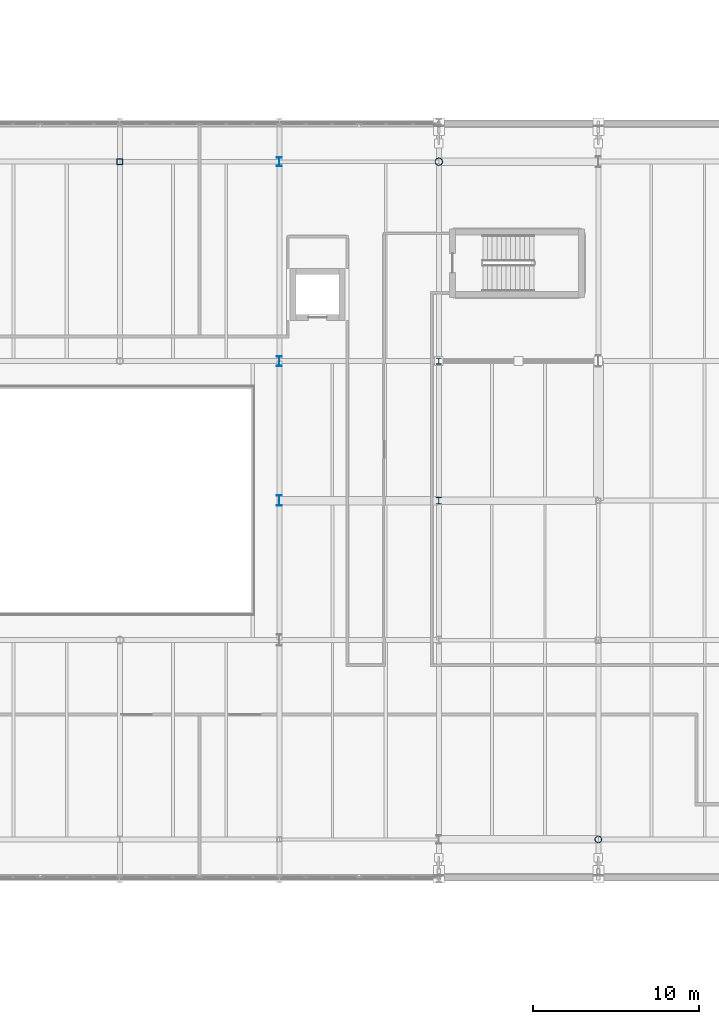
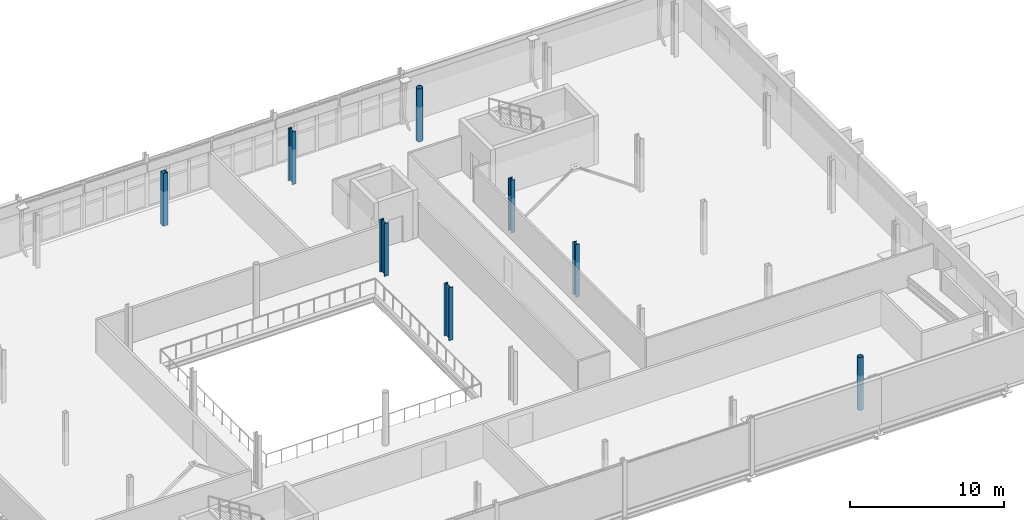
# One storey, part 8 of 90: 8 columns.
"""IFC4 building model written with IfcOpenShell, lengths in metres."""

from ifc_helpers import new_model, si_unit, direction, frame, origin, origin_2d, place, context, subcontext, project, spatial, hollow_rectangle, hollow_circle, i_section, extrude, material, material_profile, profile_set, type_object, element, save


model = new_model("IFC4")

# Units and contexts
model_context = context("Model", 3, precision=1e-05, world=origin(), true_north=direction((0.0, 1.0)))
body_context = subcontext(model_context, "Body", "Model", "MODEL_VIEW")
ifc_project = project(units=[si_unit("LENGTHUNIT", "METRE"), si_unit("AREAUNIT", "SQUARE_METRE"), si_unit("VOLUMEUNIT", "CUBIC_METRE"), si_unit("PLANEANGLEUNIT", "RADIAN"), si_unit("MASSUNIT", "GRAM", prefix="KILO")], contexts=[model_context])

# Site, building, storey
site_placement = place(None, origin())
site = spatial("IfcSite", under=ifc_project, at=site_placement, CompositionType="ELEMENT")
building_placement = place(site_placement, origin())
building = spatial("IfcBuilding", under=site, at=building_placement, Name="Zereglee Splitstone Museum", CompositionType="ELEMENT")
storey_placement = place(building_placement, frame((0.0, 0.0, 4.800048828125)))
storey = spatial("IfcBuildingStorey", under=building, at=storey_placement, Name="L01", CompositionType="ELEMENT", Elevation=4.800048828125)

# Columns
ifc_material_1 = material(Name="Steel S355J2H", Category="steel")
ifc_material_profile_1 = material_profile(ifc_material_1, hollow_circle(Radius=0.203125, WallThickness=0.02001953125, at=origin_2d()), Name="CHS 406.4x20")
ifc_profile_set_1 = profile_set([ifc_material_profile_1], Name="Steel S355J2H")
column_type_1 = type_object("IfcColumnType", Name="C-18", PredefinedType="COLUMN", material=ifc_profile_set_1)
column_1_placement = place(storey_placement, frame((135.60009765625, 9.60009765625, 0.0), z_axis=(0.0, 0.0, 1.0), x_axis=(1.0, 0.0, 0.0)))
element("IfcColumn", 1, at=column_1_placement, inside=storey, type_object=column_type_1, Name="Column 16/B L01", PredefinedType="COLUMN", context=body_context, shape_type="SweptSolid", body=[
    extrude(hollow_circle(Radius=0.203125, WallThickness=0.02001953125, at=origin_2d()), origin(), (0.0, 0.0, 1.0), 4.199951171875),
])
ifc_material_profile_2 = material_profile(ifc_material_1, hollow_circle(Radius=0.228515625, WallThickness=0.02001953125, at=origin_2d()), Name="CHS 457.0x20")
ifc_profile_set_2 = profile_set([ifc_material_profile_2], Name="Steel S355J2H")
column_type_2 = type_object("IfcColumnType", Name="C-17", PredefinedType="COLUMN", material=ifc_profile_set_2)
column_2_placement = place(storey_placement, frame((126.0, 50.39990234375, 0.0), z_axis=(0.0, 0.0, 1.0), x_axis=(1.0, 0.0, 0.0)))
element("IfcColumn", 2, at=column_2_placement, inside=storey, type_object=column_type_2, Name="Column 15/F L01", PredefinedType="COLUMN", context=body_context, shape_type="SweptSolid", body=[
    extrude(hollow_circle(Radius=0.228515625, WallThickness=0.02001953125, at=origin_2d()), origin(), (0.0, 0.0, 1.0), 4.199951171875),
])
ifc_material_2 = material(Name="Steel S355J2", Category="steel")
ifc_material_profile_3 = material_profile(ifc_material_2, i_section(OverallWidth=0.300048828125, OverallDepth=0.360107421875, WebThickness=0.012451171875, FlangeThickness=0.0224609375, FilletRadius=0.027099609375, at=origin_2d()), Name="HE 360 B")
ifc_profile_set_3 = profile_set([ifc_material_profile_3], Name="Steel S355J2")
column_type_3 = type_object("IfcColumnType", Name="C-16", PredefinedType="COLUMN", material=ifc_profile_set_3)
column_3_placement = place(storey_placement, frame((126.0, 38.39990234375, 0.0), z_axis=(0.0, 0.0, 1.0), x_axis=(1.0, 0.0, 0.0)))
element("IfcColumn", 3, at=column_3_placement, inside=storey, type_object=column_type_3, Name="Column 15/E L01", PredefinedType="COLUMN", context=body_context, shape_type="SweptSolid", body=[
    extrude(i_section(OverallWidth=0.300048828125, OverallDepth=0.360107421875, WebThickness=0.012451171875, FlangeThickness=0.0224609375, FilletRadius=0.027099609375, at=origin_2d()), origin(), (0.0, 0.0, 1.0), 4.199951171875),
])
ifc_material_profile_4 = material_profile(ifc_material_2, i_section(OverallWidth=0.300048828125, OverallDepth=0.39990234375, WebThickness=0.013427734375, FlangeThickness=0.02392578125, FilletRadius=0.027099609375, at=origin_2d()), Name="HE 400 B")
ifc_profile_set_4 = profile_set([ifc_material_profile_4], Name="Steel S355J2")
column_type_4 = type_object("IfcColumnType", Name="C-15", PredefinedType="COLUMN", material=ifc_profile_set_4)
column_4_placement = place(storey_placement, frame((126.0, 30.0, 0.0), z_axis=(0.0, 0.0, 1.0), x_axis=(1.0, 0.0, 0.0)))
element("IfcColumn", 4, at=column_4_placement, inside=storey, type_object=column_type_4, Name="Column 15/D L01", PredefinedType="COLUMN", context=body_context, shape_type="SweptSolid", body=[
    extrude(i_section(OverallWidth=0.300048828125, OverallDepth=0.39990234375, WebThickness=0.013427734375, FlangeThickness=0.02392578125, FilletRadius=0.027099609375, at=origin_2d()), origin(), (0.0, 0.0, 1.0), 4.199951171875),
])
ifc_material_profile_5 = material_profile(ifc_material_2, i_section(OverallWidth=0.300048828125, OverallDepth=0.550048828125, WebThickness=0.014892578125, FlangeThickness=0.029052734375, FilletRadius=0.027099609375, at=origin_2d()), Name="HE 550 B")
ifc_profile_set_5 = profile_set([ifc_material_profile_5], Name="Steel S355J2")
column_type_5 = type_object("IfcColumnType", Name="C-12", PredefinedType="COLUMN", material=ifc_profile_set_5)
column_5_placement = place(storey_placement, frame((116.39990234375, 50.39990234375, 0.0), z_axis=(0.0, 0.0, 1.0), x_axis=(1.0, 0.0, 0.0)))
element("IfcColumn", 5, at=column_5_placement, inside=storey, type_object=column_type_5, Name="Column 14/F L01", PredefinedType="COLUMN", context=body_context, shape_type="SweptSolid", body=[
    extrude(i_section(OverallWidth=0.300048828125, OverallDepth=0.550048828125, WebThickness=0.014892578125, FlangeThickness=0.029052734375, FilletRadius=0.027099609375, at=origin_2d()), origin(), (0.0, 0.0, 1.0), 4.199951171875),
])
ifc_material_profile_6 = material_profile(ifc_material_2, i_section(OverallWidth=0.300048828125, OverallDepth=0.60009765625, WebThickness=0.015380859375, FlangeThickness=0.030029296875, FilletRadius=0.027099609375, at=origin_2d()), Name="HE 600 B")
ifc_profile_set_6 = profile_set([ifc_material_profile_6], Name="Steel S355J2")
column_type_6 = type_object("IfcColumnType", Name="C-11", PredefinedType="COLUMN", material=ifc_profile_set_6)
column_6_placement = place(storey_placement, frame((116.39990234375, 38.39990234375, 0.0), z_axis=(0.0, 0.0, 1.0), x_axis=(1.0, 0.0, 0.0)))
element("IfcColumn", 6, at=column_6_placement, inside=storey, type_object=column_type_6, Name="Column 14/E L01", PredefinedType="COLUMN", context=body_context, shape_type="SweptSolid", body=[
    extrude(i_section(OverallWidth=0.300048828125, OverallDepth=0.60009765625, WebThickness=0.015380859375, FlangeThickness=0.030029296875, FilletRadius=0.027099609375, at=origin_2d()), origin(), (0.0, 0.0, 1.0), 4.199951171875),
])
ifc_material_profile_7 = material_profile(ifc_material_2, i_section(OverallWidth=0.300048828125, OverallDepth=0.64990234375, WebThickness=0.01611328125, FlangeThickness=0.031005859375, FilletRadius=0.027099609375, at=origin_2d()), Name="HE 650 B")
ifc_profile_set_7 = profile_set([ifc_material_profile_7], Name="Steel S355J2")
column_type_7 = type_object("IfcColumnType", Name="C-10", PredefinedType="COLUMN", material=ifc_profile_set_7)
column_7_placement = place(storey_placement, frame((116.39990234375, 30.0, 0.0), z_axis=(0.0, 0.0, 1.0), x_axis=(1.0, 0.0, 0.0)))
element("IfcColumn", 7, at=column_7_placement, inside=storey, type_object=column_type_7, Name="Column 14/D L01", PredefinedType="COLUMN", context=body_context, shape_type="SweptSolid", body=[
    extrude(i_section(OverallWidth=0.300048828125, OverallDepth=0.64990234375, WebThickness=0.01611328125, FlangeThickness=0.031005859375, FilletRadius=0.027099609375, at=origin_2d()), origin(), (0.0, 0.0, 1.0), 4.199951171875),
])
ifc_material_profile_8 = material_profile(ifc_material_1, hollow_rectangle(XDim=0.35009765625, YDim=0.35009765625, WallThickness=0.01611328125, at=origin_2d()), Name="SHS 350x350x16")
ifc_profile_set_8 = profile_set([ifc_material_profile_8], Name="Steel S355J2H")
column_type_8 = type_object("IfcColumnType", Name="C-19", PredefinedType="COLUMN", material=ifc_profile_set_8)
column_8_placement = place(storey_placement, frame((106.800048828125, 50.39990234375, 0.0), z_axis=(0.0, 0.0, 1.0), x_axis=(1.0, 0.0, 0.0)))
element("IfcColumn", 8, at=column_8_placement, inside=storey, type_object=column_type_8, Name="Column 13/F L01", PredefinedType="COLUMN", context=body_context, shape_type="SweptSolid", body=[
    extrude(hollow_rectangle(XDim=0.35009765625, YDim=0.35009765625, WallThickness=0.01611328125, at=origin_2d()), origin(), (0.0, 0.0, 1.0), 4.199951171875),
])

save(model, "model.ifc")
